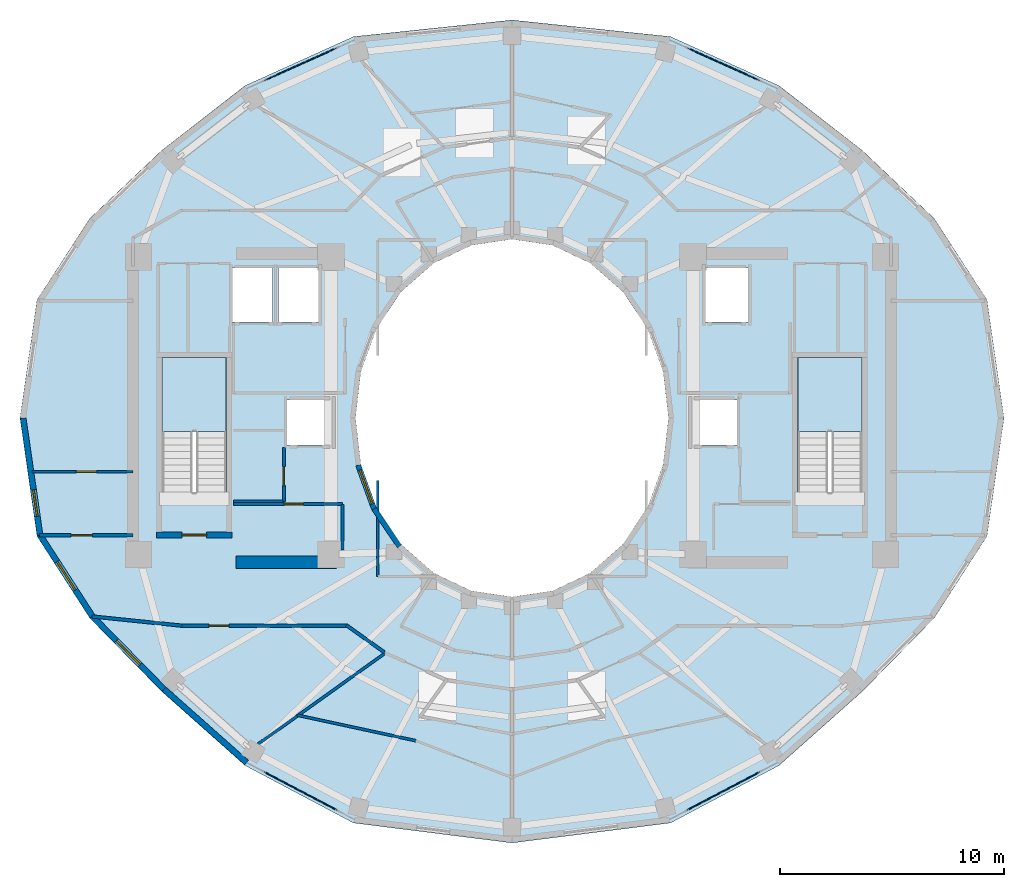
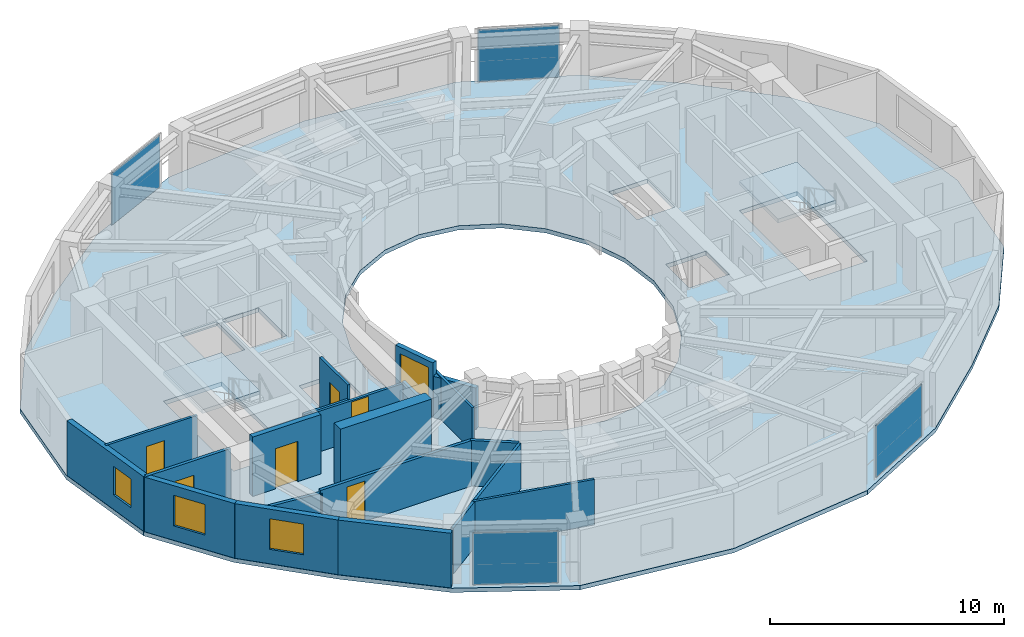
# One storey, part 9 of 16: 20 walls, 6 doors, 4 plates, 4 windows, 3 slabs, 10 openings, 6 elements without a shape of their own.
"""IFC4 building model written with IfcOpenShell, lengths in metres."""

from ifc_helpers import new_model, si_unit, direction, frame, frame_2d, origin, origin_2d, place, context, subcontext, project, spatial, polyline, rectangle, outline, extrude, material, layer, layer_set, type_object, element, fill, aggregate, save


model = new_model("IFC4")

# Units and contexts
model_context = context("Model", 3, precision=1e-05, world=origin(), true_north=direction((0.0, 1.0)))
body_context = subcontext(model_context, "Body", "Model", "MODEL_VIEW")
ifc_project = project(units=[si_unit("LENGTHUNIT", "METRE"), si_unit("AREAUNIT", "SQUARE_METRE"), si_unit("VOLUMEUNIT", "CUBIC_METRE"), si_unit("PLANEANGLEUNIT", "RADIAN"), si_unit("MASSUNIT", "GRAM", prefix="KILO")], contexts=[model_context])

# Site, building, storey
site_placement = place(None, origin())
site = spatial("IfcSite", under=ifc_project, at=site_placement, CompositionType="ELEMENT")
building_placement = place(site_placement, origin())
building = spatial("IfcBuilding", under=site, at=building_placement, Name="Solvane Sanctuary Tower", CompositionType="ELEMENT")
storey_placement = place(building_placement, frame((0.0, 0.0, 226.39990234375)))
storey = spatial("IfcBuildingStorey", under=building, at=storey_placement, Name="L69", CompositionType="ELEMENT", Elevation=226.39990234375)

# Curtain wall, plate
ifc_material_1 = material(Name="Anodised Aluminium 6063-T6", Category="aluminium")
ifc_layer_1 = layer(ifc_material_1, 0.18994140625, Name="Anodised Aluminium 6063-T6")
ifc_layer_set_1 = layer_set([ifc_layer_1], Name="Anodised Aluminium 6063-T6")
curtain_wall_type = type_object("IfcCurtainWallType", Name="Curtain Wall CW-OPER", PredefinedType="NOTDEFINED", material=ifc_layer_set_1)
curtain_wall_1_placement = place(storey_placement, origin())
curtain_wall_1 = element("IfcCurtainWall", 1, at=curtain_wall_1_placement, inside=storey, type_object=curtain_wall_type, Name="L69 CW-OPER Facade Run 04", PredefinedType="NOTDEFINED")
ifc_material_2 = material(Name="Dark Ceramic-Fritted Low-E Glass", Category="glass")
ifc_layer_2 = layer(ifc_material_2, 0.0419921875, Name="Dark Ceramic-Fritted Low-E Glass")
ifc_layer_set_2 = layer_set([ifc_layer_2], Name="Dark Ceramic-Fritted Low-E Glass")
plate_type = type_object("IfcPlateType", Name="Plate PN-OPER-VENT", PredefinedType="CURTAIN_PANEL", material=ifc_layer_set_2)
plate_1_placement = place(storey_placement, frame((41.45654296875, 38.822265625, 0.065185546875), z_axis=(0.0, 0.0, 1.0), x_axis=(-0.911422883385, 0.411470931711, 0.0)))
plate_1 = element("IfcPlate", 2, at=plate_1_placement, type_object=plate_type, Name="CW-OPER panel 1.1", PredefinedType="CURTAIN_PANEL", context=body_context, shape_type="SweptSolid", body=[
    extrude(rectangle(XDim=3.506103515625, YDim=0.0419921875, at=origin_2d()), origin(), (0.0, 0.0, 1.0), 2.7099609375),
])
aggregate(curtain_wall_1, [plate_1])

curtain_wall_2_placement = place(storey_placement, origin())
curtain_wall_2 = element("IfcCurtainWall", 3, at=curtain_wall_2_placement, inside=storey, type_object=curtain_wall_type, Name="L69 CW-OPER Facade Run 07", PredefinedType="NOTDEFINED")
plate_2_placement = place(storey_placement, frame((22.54345703125, 38.822265625, 0.065185546875), z_axis=(0.0, 0.0, 1.0), x_axis=(-0.911422883385, -0.411470931711, 0.0)))
plate_2 = element("IfcPlate", 4, at=plate_2_placement, type_object=plate_type, Name="CW-OPER panel 1.1", PredefinedType="CURTAIN_PANEL", context=body_context, shape_type="SweptSolid", body=[
    extrude(rectangle(XDim=3.506103515625, YDim=0.0419921875, at=origin_2d()), origin(), (0.0, 0.0, 1.0), 2.7099609375),
])
aggregate(curtain_wall_2, [plate_2])

curtain_wall_3_placement = place(storey_placement, origin())
curtain_wall_3 = element("IfcCurtainWall", 5, at=curtain_wall_3_placement, inside=storey, type_object=curtain_wall_type, Name="L69 CW-OPER Facade Run 16", PredefinedType="NOTDEFINED")
plate_3_placement = place(storey_placement, frame((22.54345703125, 6.324462890625, 0.065185546875), z_axis=(0.0, 0.0, 1.0), x_axis=(0.883980752049, -0.467523293544, 0.0)))
plate_3 = element("IfcPlate", 6, at=plate_3_placement, type_object=plate_type, Name="CW-OPER panel 1.1", PredefinedType="CURTAIN_PANEL", context=body_context, shape_type="SweptSolid", body=[
    extrude(rectangle(XDim=3.670654296875, YDim=0.0419921875, at=origin_2d()), origin(), (0.0, 0.0, 1.0), 2.7099609375),
])
aggregate(curtain_wall_3, [plate_3])

curtain_wall_4_placement = place(storey_placement, origin())
curtain_wall_4 = element("IfcCurtainWall", 7, at=curtain_wall_4_placement, inside=storey, type_object=curtain_wall_type, Name="L69 CW-OPER Facade Run 19", PredefinedType="NOTDEFINED")
plate_4_placement = place(storey_placement, frame((41.45654296875, 6.324462890625, 0.065185546875), z_axis=(0.0, 0.0, 1.0), x_axis=(0.883980752049, 0.467523293544, 0.0)))
plate_4 = element("IfcPlate", 8, at=plate_4_placement, type_object=plate_type, Name="CW-OPER panel 1.1", PredefinedType="CURTAIN_PANEL", context=body_context, shape_type="SweptSolid", body=[
    extrude(rectangle(XDim=3.670654296875, YDim=0.0419921875, at=origin_2d()), origin(), (0.0, 0.0, 1.0), 2.7099609375),
])
aggregate(curtain_wall_4, [plate_4])

# Stair, slab
ifc_material_3 = material(Name="Concrete C45/55", Category="concrete")
stair_type = type_object("IfcStairType", Name="Stair ST-TOW", PredefinedType="HALF_TURN_STAIR", material=ifc_material_3)
stair_1_placement = place(storey_placement, origin())
stair_1 = element("IfcStair", 9, at=stair_1_placement, inside=storey, type_object=stair_type, Name="L69 Exit Stair ST-1 West Core", PredefinedType="HALF_TURN_STAIR")
ifc_layer_3 = layer(ifc_material_3, 0.199951171875, Name="Concrete C45/55")
ifc_layer_set_3 = layer_set([ifc_layer_3], Name="Concrete C45/55")
slab_type_1 = type_object("IfcSlabType", Name="Slab SL-LAND-180", PredefinedType="LANDING", material=ifc_layer_set_3)
slab_1_placement = place(storey_placement, frame((0.0, 0.0, 1.35009765625)))
slab_1 = element("IfcSlab", 10, at=slab_1_placement, type_object=slab_type_1, Name="ST-1 landing 1", PredefinedType="LANDING", context=body_context, shape_type="SweptSolid", body=[
    extrude(outline(polyline([(19.219970703125, 22.39990234375), (19.219970703125, 25.699951171875), (16.360107421875, 25.699951171875), (16.360107421875, 22.39990234375), (19.219970703125, 22.39990234375)])), origin(), (0.0, 0.0, 1.0), 0.199951171875),
])
aggregate(stair_1, [slab_1])

stair_2_placement = place(storey_placement, origin())
stair_2 = element("IfcStair", 11, at=stair_2_placement, inside=storey, type_object=stair_type, Name="L69 Exit Stair ST-2 East Core", PredefinedType="HALF_TURN_STAIR")
slab_2_placement = place(storey_placement, frame((0.0, 0.0, 1.35009765625)))
slab_2 = element("IfcSlab", 12, at=slab_2_placement, type_object=slab_type_1, Name="ST-2 landing 1", PredefinedType="LANDING", context=body_context, shape_type="SweptSolid", body=[
    extrude(outline(polyline([(47.639892578125, 22.39990234375), (47.639892578125, 25.699951171875), (44.780029296875, 25.699951171875), (44.780029296875, 22.39990234375), (47.639892578125, 22.39990234375)])), origin(), (0.0, 0.0, 1.0), 0.199951171875),
])
aggregate(stair_2, [slab_2])

# Slab
ifc_layer_4 = layer(ifc_material_3, 0.219970703125, Name="Concrete C45/55")
ifc_layer_set_4 = layer_set([ifc_layer_4], Name="Concrete C45/55")
slab_type_2 = type_object("IfcSlabType", Name="Slab SL-TOW-220", PredefinedType="FLOOR", material=ifc_layer_set_4)
slab_3_placement = place(storey_placement, frame((0.0, 0.0, -0.219970703125)))
element("IfcSlab", 13, at=slab_3_placement, inside=storey, type_object=slab_type_2, Name="L69 Primary Structural Slab", PredefinedType="FLOOR", context=body_context, shape_type="SweptSolid", body=[
    extrude(outline(polyline([(54.0, 23.0), (53.239990234375, 28.283935546875), (50.881103515625, 31.925537109375), (47.6572265625, 34.97412109375), (43.946044921875, 37.859375), (39.088134765625, 40.057373046875), (32.0, 40.800048828125), (24.911865234375, 40.057373046875), (20.053955078125, 37.859375), (16.3427734375, 34.97412109375), (13.118896484375, 31.925537109375), (10.760009765625, 28.283935546875), (10.0, 23.0), (10.760009765625, 17.716064453125), (13.118896484375, 14.056884765625), (16.3427734375, 10.7666015625), (20.053955078125, 7.46826171875), (24.911865234375, 4.8935546875), (32.0, 4.0), (39.088134765625, 4.8935546875), (43.946044921875, 7.46826171875), (47.6572265625, 10.7666015625), (50.881103515625, 14.056884765625), (53.239990234375, 17.716064453125), (54.0, 23.0)]), holes=[polyline([(38.761474609375, 20.929443359375), (38.062255859375, 19.0), (36.94970703125, 17.343017578125), (35.5, 16.07177734375), (33.811767578125, 15.272705078125), (32.0, 15.0), (30.188232421875, 15.272705078125), (28.5, 16.07177734375), (27.05029296875, 17.343017578125), (25.937744140625, 19.0), (25.238525390625, 20.929443359375), (25.0, 23.0), (25.238525390625, 25.070556640625), (25.937744140625, 27.0), (27.05029296875, 28.656982421875), (28.5, 29.92822265625), (30.188232421875, 30.727294921875), (32.0, 31.0), (33.811767578125, 30.727294921875), (35.5, 29.92822265625), (36.94970703125, 28.656982421875), (38.062255859375, 27.0), (38.761474609375, 25.070556640625), (39.0, 23.0), (38.761474609375, 20.929443359375)]), polyline([(16.360107421875, 19.699951171875), (16.360107421875, 25.699951171875), (19.219970703125, 25.699951171875), (19.219970703125, 19.699951171875), (16.360107421875, 19.699951171875)]), polyline([(44.780029296875, 19.699951171875), (44.780029296875, 25.699951171875), (47.639892578125, 25.699951171875), (47.639892578125, 19.699951171875), (44.780029296875, 19.699951171875)]), polyline([(21.949951171875, 23.800048828125), (23.949951171875, 23.800048828125), (23.949951171875, 21.800048828125), (21.949951171875, 21.800048828125), (21.949951171875, 23.800048828125)]), polyline([(40.050048828125, 23.800048828125), (42.050048828125, 23.800048828125), (42.050048828125, 21.800048828125), (40.050048828125, 21.800048828125), (40.050048828125, 23.800048828125)]), polyline([(19.5, 29.699951171875), (21.300048828125, 29.699951171875), (21.300048828125, 27.300048828125), (19.5, 27.300048828125), (19.5, 29.699951171875)]), polyline([(21.550048828125, 29.699951171875), (23.35009765625, 29.699951171875), (23.35009765625, 27.300048828125), (21.550048828125, 27.300048828125), (21.550048828125, 29.699951171875)]), polyline([(40.64990234375, 29.699951171875), (42.550048828125, 29.699951171875), (42.550048828125, 27.300048828125), (40.64990234375, 27.300048828125), (40.64990234375, 29.699951171875)])]), origin(), (0.0, 0.0, 1.0), 0.219970703125),
])

# Wall
ifc_material_4 = material(Name="Concrete C50/60", Category="concrete")
ifc_layer_5 = layer(ifc_material_4, 0.550048828125, Name="Concrete C50/60")
ifc_layer_set_5 = layer_set([ifc_layer_5], Name="Concrete C50/60")
wall_type_1 = type_object("IfcWallType", Name="Wall W-CORE-550", PredefinedType="SHEAR", material=ifc_layer_set_5)
wall_1_placement = place(storey_placement, frame((19.64990234375, 16.550048828125, 0.0), z_axis=(0.0, 0.0, 1.0), x_axis=(1.0, 0.0, 0.0)))
element("IfcWall", 14, at=wall_1_placement, inside=storey, type_object=wall_type_1, Name="L69 Core Shear Wall WC-S", PredefinedType="SHEAR", context=body_context, shape_type="SweptSolid", body=[
    extrude(rectangle(XDim=4.5, YDim=0.550048828125, at=frame_2d((2.25, 0.0))), origin(), (0.0, 0.0, 1.0), 3.10009765625),
])

# Wall, opening, door
ifc_material_5 = material(Name="Acoustic Gypsum Partition Board")
ifc_layer_6 = layer(ifc_material_5, 0.14990234375, Name="Acoustic Gypsum Partition Board")
ifc_layer_set_6 = layer_set([ifc_layer_6], Name="Acoustic Gypsum Partition Board")
wall_type_2 = type_object("IfcWallType", Name="Wall W-CORR-150", PredefinedType="PARTITIONING", material=ifc_layer_set_6)
wall_2_placement = place(storey_placement, frame((10.87548828125, 17.754638671875, 0.0), z_axis=(0.0, 0.0, 1.0), x_axis=(1.0, 0.0, 0.0)))
wall_2 = element("IfcWall", 15, at=wall_2_placement, inside=storey, type_object=wall_type_2, Name="L69 West Shoulder South Wall", PredefinedType="PARTITIONING", context=body_context, shape_type="SweptSolid", body=[
    extrude(rectangle(XDim=4.174560546875, YDim=0.14990234375, at=frame_2d((2.08740234375, 0.0))), origin(), (0.0, 0.0, 1.0), 2.85498046875),
])
opening_1_placement = place(wall_2_placement, frame((1.407470703125, 0.0, 0.0)))
opening_1 = element("IfcOpeningElement", 16, at=opening_1_placement, cuts=wall_2, Name="Opening D-L69-19", PredefinedType="OPENING", context=body_context, shape_type="SweptSolid", body=[
    extrude(rectangle(XDim=0.949951171875, YDim=2.10009765625, at=frame_2d((0.47509765625, 1.050048828125))), frame((0.0, 0.0849609375, 0.0), z_axis=(0.0, -1.0, 0.0), x_axis=(1.0, 0.0, 0.0)), (0.0, 0.0, 1.0), 0.169921875),
])
ifc_material_6 = material(Name="Engineered Tropical Hardwood", Category="wood")
door_type_1 = type_object("IfcDoorType", Name="Door D-ROOM-950", OperationType="NOTDEFINED", PredefinedType="DOOR", material=ifc_material_6)
door_1_placement = place(opening_1_placement, origin())
door_1 = element("IfcDoor", 17, at=door_1_placement, inside=storey, type_object=door_type_1, Name="L69 West Shoulder South Door", OperationType="SINGLE_SWING_RIGHT", OverallHeight=2.10009765625, OverallWidth=0.949951171875, PredefinedType="DOOR", context=body_context, shape_type="SweptSolid", body=[
    extrude(rectangle(XDim=0.949951171875, YDim=2.10009765625, at=frame_2d((0.47509765625, 1.050048828125))), frame((0.0, 0.02490234375, 0.0), z_axis=(0.0, -1.0, 0.0), x_axis=(1.0, 0.0, 0.0)), (0.0, 0.0, 1.0), 0.050048828125),
])
fill(opening_1, door_1)

# Wall
wall_3_placement = place(storey_placement, frame((26.290283203125, 12.527099609375, 0.0), z_axis=(0.0, 0.0, 1.0), x_axis=(-0.813780999276, 0.581171648669, 0.0)))
element("IfcWall", 18, at=wall_3_placement, inside=storey, type_object=wall_type_2, Name="L69 SW Corner Throat Wall", PredefinedType="PARTITIONING", context=body_context, shape_type="SweptSolid", body=[
    extrude(rectangle(XDim=2.082275390625, YDim=0.14990234375, at=frame_2d((1.041015625, 0.0))), origin(), (0.0, 0.0, 1.0), 2.3759765625),
])

# Wall, opening, door
wall_4_placement = place(storey_placement, frame((17.14990234375, 13.719970703125, 0.0), z_axis=(0.0, 0.0, 1.0), x_axis=(1.0, 0.0, 0.0)))
wall_4 = element("IfcWall", 19, at=wall_4_placement, inside=storey, type_object=wall_type_2, Name="L69 SW Corner Corridor Wall", PredefinedType="PARTITIONING", context=body_context, shape_type="SweptSolid", body=[
    extrude(rectangle(XDim=7.52001953125, YDim=0.14990234375, at=frame_2d((3.760009765625, 0.0))), origin(), (0.0, 0.0, 1.0), 2.3759765625),
])
opening_2_placement = place(wall_4_placement, frame((1.300048828125, 0.0, 0.0)))
opening_2 = element("IfcOpeningElement", 20, at=opening_2_placement, cuts=wall_4, Name="Opening D-L69-24", PredefinedType="OPENING", context=body_context, shape_type="SweptSolid", body=[
    extrude(rectangle(XDim=0.89990234375, YDim=2.10009765625, at=frame_2d((0.449951171875, 1.050048828125))), frame((0.0, 0.0849609375, 0.0), z_axis=(0.0, -1.0, 0.0), x_axis=(1.0, 0.0, 0.0)), (0.0, 0.0, 1.0), 0.169921875),
])
door_type_2 = type_object("IfcDoorType", Name="Door D-WET-900", OperationType="NOTDEFINED", PredefinedType="DOOR", material=ifc_material_6)
door_2_placement = place(opening_2_placement, origin())
door_2 = element("IfcDoor", 21, at=door_2_placement, inside=storey, type_object=door_type_2, Name="L69 SW Corner Salon Door", OperationType="SINGLE_SWING_LEFT", OverallHeight=2.10009765625, OverallWidth=0.89990234375, PredefinedType="DOOR", context=body_context, shape_type="SweptSolid", body=[
    extrude(rectangle(XDim=0.89990234375, YDim=2.10009765625, at=frame_2d((0.449951171875, 1.050048828125))), frame((0.0, 0.02490234375, 0.0), z_axis=(0.0, -1.0, 0.0), x_axis=(1.0, 0.0, 0.0)), (0.0, 0.0, 1.0), 0.050048828125),
])
fill(opening_2, door_2)

# Wall
wall_5_placement = place(storey_placement, frame((17.249755859375, 13.71484375, 0.0), z_axis=(0.0, 0.0, 1.0), x_axis=(-0.994734711466, 0.102483431859, 0.0)))
element("IfcWall", 22, at=wall_5_placement, inside=storey, type_object=wall_type_2, Name="L69 SW Corner Wing Wall", PredefinedType="PARTITIONING", context=body_context, shape_type="SweptSolid", body=[
    extrude(rectangle(XDim=4.04736328125, YDim=0.14990234375, at=frame_2d((2.023681640625, 0.0))), origin(), (0.0, 0.0, 1.0), 2.22021484375),
])

# Wall, opening, window
ifc_material_7 = material(Name="Precast concrete C40/50", Category="concrete")
ifc_layer_7 = layer(ifc_material_7, 0.260009765625, Name="Precast concrete C40/50")
ifc_layer_set_7 = layer_set([ifc_layer_7], Name="Precast concrete C40/50")
wall_type_3 = type_object("IfcWallType", Name="Wall W-EXT-250", PredefinedType="STANDARD", material=ifc_layer_set_7)
wall_6_placement = place(storey_placement, frame((10.139892578125, 23.0, 0.0), z_axis=(0.0, 0.0, 1.0), x_axis=(0.142712754019, -0.989764148593, 0.0)))
wall_6 = element("IfcWall", 23, at=wall_6_placement, inside=storey, type_object=wall_type_3, Name="L69 Ceramic-Printed Facade Wall 12", PredefinedType="STANDARD", context=body_context, shape_type="SweptSolid", body=[
    extrude(rectangle(XDim=5.29296875, YDim=0.260009765625, at=frame_2d((2.646484375, 0.0))), origin(), (0.0, 0.0, 1.0), 2.85009765625),
])
opening_3_placement = place(wall_6_placement, frame((3.23388671875, 0.0, 0.75)))
opening_3 = element("IfcOpeningElement", 24, at=opening_3_placement, cuts=wall_6, Name="Opening WN-OPER-1200", PredefinedType="OPENING", context=body_context, shape_type="SweptSolid", body=[
    extrude(rectangle(XDim=1.199951171875, YDim=1.5, at=frame_2d((0.60009765625, 0.75))), frame((0.0, 0.139892578125, 0.0), z_axis=(0.0, -1.0, 0.0), x_axis=(1.0, 0.0, 0.0)), (0.0, 0.0, 1.0), 0.280029296875),
])
window_type_1 = type_object("IfcWindowType", Name="Window WN-OPER-1200", PartitioningType="SINGLE_PANEL", PredefinedType="WINDOW", material=ifc_material_2)
window_1_placement = place(opening_3_placement, origin())
window_1 = element("IfcWindow", 25, at=window_1_placement, inside=storey, type_object=window_type_1, Name="L69 Operable Facade Window 12", OverallHeight=1.5, OverallWidth=1.199951171875, PartitioningType="SINGLE_PANEL", PredefinedType="WINDOW", context=body_context, shape_type="SweptSolid", body=[
    extrude(rectangle(XDim=1.199951171875, YDim=1.5, at=frame_2d((0.60009765625, 0.75))), frame((0.0, 0.030029296875, 0.0), z_axis=(0.0, -1.0, 0.0), x_axis=(1.0, 0.0, 0.0)), (0.0, 0.0, 1.0), 0.06005859375),
])
fill(opening_3, window_1)

wall_7_placement = place(storey_placement, frame((10.895263671875, 17.76123046875, 0.0), z_axis=(0.0, 0.0, 1.0), x_axis=(0.542641766008, -0.839964233634, 0.0)))
wall_7 = element("IfcWall", 26, at=wall_7_placement, inside=storey, type_object=wall_type_3, Name="L69 Ceramic-Printed Facade Wall 13", PredefinedType="STANDARD", context=body_context, shape_type="SweptSolid", body=[
    extrude(rectangle(XDim=4.319091796875, YDim=0.260009765625, at=frame_2d((2.15966796875, 0.0))), origin(), (0.0, 0.0, 1.0), 2.85009765625),
])
opening_4_placement = place(wall_7_placement, frame((1.40966796875, 0.0, 0.75)))
opening_4 = element("IfcOpeningElement", 27, at=opening_4_placement, cuts=wall_7, Name="Opening WN-OPER-1500", PredefinedType="OPENING", context=body_context, shape_type="SweptSolid", body=[
    extrude(rectangle(XDim=1.5, YDim=1.60009765625, at=frame_2d((0.75, 0.800048828125))), frame((0.0, 0.139892578125, 0.0), z_axis=(0.0, -1.0, 0.0), x_axis=(1.0, 0.0, 0.0)), (0.0, 0.0, 1.0), 0.280029296875),
])
window_type_2 = type_object("IfcWindowType", Name="Window WN-OPER-1500", PartitioningType="SINGLE_PANEL", PredefinedType="WINDOW", material=ifc_material_2)
window_2_placement = place(opening_4_placement, origin())
window_2 = element("IfcWindow", 28, at=window_2_placement, inside=storey, type_object=window_type_2, Name="L69 Operable Facade Window 13", OverallHeight=1.60009765625, OverallWidth=1.5, PartitioningType="SINGLE_PANEL", PredefinedType="WINDOW", context=body_context, shape_type="SweptSolid", body=[
    extrude(rectangle(XDim=1.5, YDim=1.60009765625, at=frame_2d((0.75, 0.800048828125))), frame((0.0, 0.030029296875, 0.0), z_axis=(0.0, -1.0, 0.0), x_axis=(1.0, 0.0, 0.0)), (0.0, 0.0, 1.0), 0.06005859375),
])
fill(opening_4, window_2)

wall_8_placement = place(storey_placement, frame((13.239013671875, 14.13330078125, 0.0), z_axis=(0.0, 0.0, 1.0), x_axis=(0.700642973333, -0.713512034881, 0.0)))
wall_8 = element("IfcWall", 29, at=wall_8_placement, inside=storey, type_object=wall_type_3, Name="L69 Ceramic-Printed Facade Wall 14", PredefinedType="STANDARD", context=body_context, shape_type="SweptSolid", body=[
    extrude(rectangle(XDim=4.572021484375, YDim=0.260009765625, at=frame_2d((2.2861328125, 0.0))), origin(), (0.0, 0.0, 1.0), 2.85009765625),
])
opening_5_placement = place(wall_8_placement, frame((1.535888671875, 0.0, 0.75)))
opening_5 = element("IfcOpeningElement", 30, at=opening_5_placement, cuts=wall_8, Name="Opening WN-OPER-1500", PredefinedType="OPENING", context=body_context, shape_type="SweptSolid", body=[
    extrude(rectangle(XDim=1.5, YDim=1.60009765625, at=frame_2d((0.75, 0.800048828125))), frame((0.0, 0.139892578125, 0.0), z_axis=(0.0, -1.0, 0.0), x_axis=(1.0, 0.0, 0.0)), (0.0, 0.0, 1.0), 0.280029296875),
])
window_3_placement = place(opening_5_placement, origin())
window_3 = element("IfcWindow", 31, at=window_3_placement, inside=storey, type_object=window_type_2, Name="L69 Operable Facade Window 14", OverallHeight=1.60009765625, OverallWidth=1.5, PartitioningType="SINGLE_PANEL", PredefinedType="WINDOW", context=body_context, shape_type="SweptSolid", body=[
    extrude(rectangle(XDim=1.5, YDim=1.60009765625, at=frame_2d((0.75, 0.800048828125))), frame((0.0, 0.030029296875, 0.0), z_axis=(0.0, -1.0, 0.0), x_axis=(1.0, 0.0, 0.0)), (0.0, 0.0, 1.0), 0.06005859375),
])
fill(opening_5, window_3)

# Wall
wall_9_placement = place(storey_placement, frame((16.4423828125, 10.87109375, 0.0), z_axis=(0.0, 0.0, 1.0), x_axis=(0.748165854006, -0.663511759428, 0.0)))
element("IfcWall", 32, at=wall_9_placement, inside=storey, type_object=wall_type_3, Name="L69 Ceramic-Printed Facade Wall 15", PredefinedType="STANDARD", context=body_context, shape_type="SweptSolid", body=[
    extrude(rectangle(XDim=4.9287109375, YDim=0.260009765625, at=frame_2d((2.46435546875, 0.0))), origin(), (0.0, 0.0, 1.0), 2.85009765625),
])

# Wall, opening, window
ifc_layer_8 = layer(ifc_material_7, 0.22998046875, Name="Precast concrete C40/50")
ifc_layer_set_8 = layer_set([ifc_layer_8], Name="Precast concrete C40/50")
wall_type_4 = type_object("IfcWallType", Name="Wall W-EXT-SP220", PredefinedType="STANDARD", material=ifc_layer_set_8)
wall_10_placement = place(storey_placement, frame((25.12255859375, 20.8984375, 0.0), z_axis=(0.0, 0.0, 1.0), x_axis=(0.341423187295, -0.93990968033, 0.0)))
wall_10 = element("IfcWall", 33, at=wall_10_placement, inside=storey, type_object=wall_type_4, Name="L69 Central Light-Well Wall 13", PredefinedType="STANDARD", context=body_context, shape_type="SweptSolid", body=[
    extrude(rectangle(XDim=2.083740234375, YDim=0.22998046875, at=frame_2d((1.0419921875, 0.0))), origin(), (0.0, 0.0, 1.0), 2.840087890625),
])
opening_6_placement = place(wall_10_placement, frame((0.24169921875, 0.0, 0.85009765625)))
opening_6 = element("IfcOpeningElement", 34, at=opening_6_placement, cuts=wall_10, Name="Opening WN-WELL-1600", PredefinedType="OPENING", context=body_context, shape_type="SweptSolid", body=[
    extrude(rectangle(XDim=1.60009765625, YDim=1.64990234375, at=frame_2d((0.800048828125, 0.824951171875))), frame((0.0, 0.125, 0.0), z_axis=(0.0, -1.0, 0.0), x_axis=(1.0, 0.0, 0.0)), (0.0, 0.0, 1.0), 0.25),
])
ifc_material_8 = material(Name="Clear Laminated Light-Well Glass", Category="glass")
window_type_3 = type_object("IfcWindowType", Name="Window WN-WELL-1600", PartitioningType="SINGLE_PANEL", PredefinedType="WINDOW", material=ifc_material_8)
window_4_placement = place(opening_6_placement, origin())
window_4 = element("IfcWindow", 35, at=window_4_placement, inside=storey, type_object=window_type_3, Name="L69 Light-Well Daylight Window 13", OverallHeight=1.64990234375, OverallWidth=1.60009765625, PartitioningType="SINGLE_PANEL", PredefinedType="WINDOW", context=body_context, shape_type="SweptSolid", body=[
    extrude(rectangle(XDim=1.60009765625, YDim=1.64990234375, at=frame_2d((0.800048828125, 0.824951171875))), frame((0.0, 0.030029296875, 0.0), z_axis=(0.0, -1.0, 0.0), x_axis=(1.0, 0.0, 0.0)), (0.0, 0.0, 1.0), 0.06005859375),
])
fill(opening_6, window_4)

# Wall
wall_11_placement = place(storey_placement, frame((25.833984375, 18.93994140625, 0.0), z_axis=(0.0, 0.0, 1.0), x_axis=(0.558197800898, -0.829707909492, 0.0)))
element("IfcWall", 36, at=wall_11_placement, inside=storey, type_object=wall_type_4, Name="L69 Central Light-Well Wall 14", PredefinedType="STANDARD", context=body_context, shape_type="SweptSolid", body=[
    extrude(rectangle(XDim=2.02685546875, YDim=0.22998046875, at=frame_2d((1.013427734375, 0.0))), origin(), (0.0, 0.0, 1.0), 2.16015625),
])

# Wall, opening, door
ifc_layer_9 = layer(ifc_material_5, 0.1201171875, Name="Acoustic Gypsum Partition Board")
ifc_layer_set_9 = layer_set([ifc_layer_9], Name="Acoustic Gypsum Partition Board")
wall_type_5 = type_object("IfcWallType", Name="Wall W-MOV-100", PredefinedType="MOVABLE", material=ifc_layer_set_9)
wall_12_placement = place(storey_placement, frame((10.525634765625, 20.60009765625, 0.0), z_axis=(0.0, 0.0, 1.0), x_axis=(1.0, 0.0, 0.0)))
wall_12 = element("IfcWall", 37, at=wall_12_placement, inside=storey, type_object=wall_type_5, Name="L69 West Suite Partition", PredefinedType="MOVABLE", context=body_context, shape_type="SweptSolid", body=[
    extrude(rectangle(XDim=4.5244140625, YDim=0.1201171875, at=frame_2d((2.26220703125, 0.0))), origin(), (0.0, 0.0, 1.0), 2.85498046875),
])
opening_7_placement = place(wall_12_placement, frame((2.0, 0.0, 0.0)))
opening_7 = element("IfcOpeningElement", 38, at=opening_7_placement, cuts=wall_12, Name="Opening D-L69-20", PredefinedType="OPENING", context=body_context, shape_type="SweptSolid", body=[
    extrude(rectangle(XDim=0.89990234375, YDim=2.10009765625, at=frame_2d((0.449951171875, 1.050048828125))), frame((0.0, 0.070068359375, 0.0), z_axis=(0.0, -1.0, 0.0), x_axis=(1.0, 0.0, 0.0)), (0.0, 0.0, 1.0), 0.14013671875),
])
door_3_placement = place(opening_7_placement, origin())
door_3 = element("IfcDoor", 39, at=door_3_placement, inside=storey, type_object=door_type_2, Name="L69 West Suite Internal Door", OperationType="SINGLE_SWING_LEFT", OverallHeight=2.10009765625, OverallWidth=0.89990234375, PredefinedType="DOOR", context=body_context, shape_type="SweptSolid", body=[
    extrude(rectangle(XDim=0.89990234375, YDim=2.10009765625, at=frame_2d((0.449951171875, 1.050048828125))), frame((0.0, 0.02490234375, 0.0), z_axis=(0.0, -1.0, 0.0), x_axis=(1.0, 0.0, 0.0)), (0.0, 0.0, 1.0), 0.050048828125),
])
fill(opening_7, door_3)

# Wall
wall_13_placement = place(storey_placement, frame((22.389892578125, 9.716796875, 0.0), z_axis=(0.0, 0.0, 1.0), x_axis=(0.977534972695, -0.210773283785, 0.0)))
element("IfcWall", 40, at=wall_13_placement, inside=storey, type_object=wall_type_5, Name="L69 Suite Sitting Lounge Partition S1", PredefinedType="MOVABLE", context=body_context, shape_type="SweptSolid", body=[
    extrude(rectangle(XDim=5.453369140625, YDim=0.1201171875, at=frame_2d((2.7265625, 0.0))), origin(), (0.0, 0.0, 1.0), 2.3759765625),
])

# Wall, opening, door
ifc_layer_10 = layer(ifc_material_5, 0.125, Name="Acoustic Gypsum Partition Board")
ifc_layer_set_10 = layer_set([ifc_layer_10], Name="Acoustic Gypsum Partition Board")
wall_type_6 = type_object("IfcWallType", Name="Wall W-PART-125", PredefinedType="PARTITIONING", material=ifc_layer_set_10)
wall_14_placement = place(storey_placement, frame((19.550048828125, 19.159912109375, 0.0), z_axis=(0.0, 0.0, 1.0), x_axis=(1.0, 0.0, 0.0)))
wall_14 = element("IfcWall", 41, at=wall_14_placement, inside=storey, type_object=wall_type_6, Name="L69 Reclaimed Room Partition PLW", PredefinedType="PARTITIONING", context=body_context, shape_type="SweptSolid", body=[
    extrude(rectangle(XDim=4.869873046875, YDim=0.125, at=frame_2d((2.43505859375, 0.0))), origin(), (0.0, 0.0, 1.0), 2.1201171875),
])
opening_8_placement = place(wall_14_placement, frame((2.271728515625, 0.0, 0.0)))
opening_8 = element("IfcOpeningElement", 42, at=opening_8_placement, cuts=wall_14, Name="Opening D-L69-05", PredefinedType="OPENING", context=body_context, shape_type="SweptSolid", body=[
    extrude(rectangle(XDim=0.85009765625, YDim=2.050048828125, at=frame_2d((0.425048828125, 1.02490234375))), frame((0.0, 0.072509765625, 0.0), z_axis=(0.0, -1.0, 0.0), x_axis=(1.0, 0.0, 0.0)), (0.0, 0.0, 1.0), 0.14501953125),
])
ifc_material_9 = material(Name="Architectural Stainless Steel 316", Category="steel")
door_type_3 = type_object("IfcDoorType", Name="Door D-RISER", OperationType="NOTDEFINED", PredefinedType="DOOR", material=ifc_material_9)
door_4_placement = place(opening_8_placement, origin())
door_4 = element("IfcDoor", 43, at=door_4_placement, inside=storey, type_object=door_type_3, Name="L69 Reclaimed Room Door PLW-1", OperationType="SINGLE_SWING_RIGHT", OverallHeight=2.050048828125, OverallWidth=0.85009765625, PredefinedType="DOOR", context=body_context, shape_type="SweptSolid", body=[
    extrude(rectangle(XDim=0.85009765625, YDim=2.050048828125, at=frame_2d((0.425048828125, 1.02490234375))), frame((0.0, 0.02490234375, 0.0), z_axis=(0.0, -1.0, 0.0), x_axis=(1.0, 0.0, 0.0)), (0.0, 0.0, 1.0), 0.050048828125),
])
fill(opening_8, door_4)

# Wall
wall_15_placement = place(storey_placement, frame((24.419921875, 17.10009765625, 0.0), z_axis=(0.0, 0.0, 1.0), x_axis=(0.0, 1.0, 0.0)))
element("IfcWall", 44, at=wall_15_placement, inside=storey, type_object=wall_type_6, Name="L69 Reclaimed Room Closer Wall PLW-1", PredefinedType="PARTITIONING", context=body_context, shape_type="SweptSolid", body=[
    extrude(rectangle(XDim=2.039794921875, YDim=0.125, at=frame_2d((1.02001953125, 0.0))), origin(), (0.0, 0.0, 1.0), 2.232177734375),
])

# Wall, opening, door
wall_16_placement = place(storey_placement, frame((21.800048828125, 19.280029296875, 0.0), z_axis=(0.0, 0.0, 1.0), x_axis=(0.0, 1.0, 0.0)))
wall_16 = element("IfcWall", 45, at=wall_16_placement, inside=storey, type_object=wall_type_6, Name="L69 Reclaimed Room Partition PMW", PredefinedType="PARTITIONING", context=body_context, shape_type="SweptSolid", body=[
    extrude(rectangle(XDim=2.39990234375, YDim=0.125, at=frame_2d((1.199951171875, 0.0))), origin(), (0.0, 0.0, 1.0), 2.85498046875),
])
opening_9_placement = place(wall_16_placement, frame((0.699951171875, 0.0, 0.0)))
opening_9 = element("IfcOpeningElement", 46, at=opening_9_placement, cuts=wall_16, Name="Opening D-L69-07", PredefinedType="OPENING", context=body_context, shape_type="SweptSolid", body=[
    extrude(rectangle(XDim=0.85009765625, YDim=2.050048828125, at=frame_2d((0.425048828125, 1.02490234375))), frame((0.0, 0.072509765625, 0.0), z_axis=(0.0, -1.0, 0.0), x_axis=(1.0, 0.0, 0.0)), (0.0, 0.0, 1.0), 0.14501953125),
])
door_5_placement = place(opening_9_placement, origin())
door_5 = element("IfcDoor", 47, at=door_5_placement, inside=storey, type_object=door_type_3, Name="L69 Reclaimed Room Door PMW-1", OperationType="SINGLE_SWING_RIGHT", OverallHeight=2.050048828125, OverallWidth=0.85009765625, PredefinedType="DOOR", context=body_context, shape_type="SweptSolid", body=[
    extrude(rectangle(XDim=0.85009765625, YDim=2.050048828125, at=frame_2d((0.425048828125, 1.02490234375))), frame((0.0, 0.02490234375, 0.0), z_axis=(0.0, -1.0, 0.0), x_axis=(1.0, 0.0, 0.0)), (0.0, 0.0, 1.0), 0.050048828125),
])
fill(opening_9, door_5)

# Walls
wall_17_placement = place(storey_placement, frame((19.550048828125, 19.280029296875, 0.0), z_axis=(0.0, 0.0, 1.0), x_axis=(1.0, 0.0, 0.0)))
element("IfcWall", 48, at=wall_17_placement, inside=storey, type_object=wall_type_6, Name="L69 Reclaimed Room Closer Wall PMW-1", PredefinedType="PARTITIONING", context=body_context, shape_type="SweptSolid", body=[
    extrude(rectangle(XDim=2.2099609375, YDim=0.125, at=frame_2d((1.10498046875, 0.0))), origin(), (0.0, 0.0, 1.0), 2.1201171875),
])
wall_18_placement = place(storey_placement, frame((26.0, 15.919921875, 0.0), z_axis=(0.0, 0.0, 1.0), x_axis=(0.0, 1.0, 0.0)))
element("IfcWall", 49, at=wall_18_placement, inside=storey, type_object=wall_type_6, Name="L69 Bridge Alcove Wall 5", PredefinedType="PARTITIONING", context=body_context, shape_type="SweptSolid", body=[
    extrude(rectangle(XDim=4.280029296875, YDim=0.125, at=frame_2d((2.14013671875, 0.0))), origin(), (0.0, 0.0, 1.0), 2.232177734375),
])
wall_19_placement = place(storey_placement, frame((26.290283203125, 12.463134765625, 0.0), z_axis=(0.0, 0.0, 1.0), x_axis=(-0.813163816543, -0.582034885093, 0.0)))
element("IfcWall", 50, at=wall_19_placement, inside=storey, type_object=wall_type_6, Name="L69 Radial Compartment Wall 240", PredefinedType="PARTITIONING", context=body_context, shape_type="SweptSolid", body=[
    extrude(rectangle(XDim=6.95458984375, YDim=0.125, at=frame_2d((3.477294921875, 0.0))), origin(), (0.0, 0.0, 1.0), 2.3759765625),
])

# Wall, opening, door
ifc_layer_11 = layer(ifc_material_4, 0.25, Name="Concrete C50/60")
ifc_layer_set_11 = layer_set([ifc_layer_11], Name="Concrete C50/60")
wall_type_7 = type_object("IfcWallType", Name="Wall W-SHAFT-250", PredefinedType="SOLIDWALL", material=ifc_layer_set_11)
wall_20_placement = place(storey_placement, frame((16.10498046875, 17.77001953125, 0.0), z_axis=(0.0, 0.0, 1.0), x_axis=(1.0, 0.0, 0.0)))
wall_20 = element("IfcWall", 51, at=wall_20_placement, inside=storey, type_object=wall_type_7, Name="L69 ST-1 Load-Bearing Shaft Wall S", PredefinedType="SOLIDWALL", context=body_context, shape_type="SweptSolid", body=[
    extrude(rectangle(XDim=3.3701171875, YDim=0.25, at=frame_2d((1.68505859375, 0.0))), origin(), (0.0, 0.0, 1.0), 3.10009765625),
])
opening_10_placement = place(wall_20_placement, frame((1.135009765625, 0.0, 0.0)))
opening_10 = element("IfcOpeningElement", 52, at=opening_10_placement, cuts=wall_20, Name="Opening D-L69-01", PredefinedType="OPENING", context=body_context, shape_type="SweptSolid", body=[
    extrude(rectangle(XDim=1.10009765625, YDim=2.10009765625, at=frame_2d((0.550048828125, 1.050048828125))), frame((0.0, 0.135009765625, 0.0), z_axis=(0.0, -1.0, 0.0), x_axis=(1.0, 0.0, 0.0)), (0.0, 0.0, 1.0), 0.27001953125),
])
door_type_4 = type_object("IfcDoorType", Name="Door D-STAIR", OperationType="NOTDEFINED", PredefinedType="DOOR", material=ifc_material_9)
door_6_placement = place(opening_10_placement, origin())
door_6 = element("IfcDoor", 53, at=door_6_placement, inside=storey, type_object=door_type_4, Name="L69 ST-1 Exit Stair Fire Door", OperationType="SINGLE_SWING_LEFT", OverallHeight=2.10009765625, OverallWidth=1.10009765625, PredefinedType="DOOR", context=body_context, shape_type="SweptSolid", body=[
    extrude(rectangle(XDim=1.10009765625, YDim=2.10009765625, at=frame_2d((0.550048828125, 1.050048828125))), frame((0.0, 0.02490234375, 0.0), z_axis=(0.0, -1.0, 0.0), x_axis=(1.0, 0.0, 0.0)), (0.0, 0.0, 1.0), 0.050048828125),
])
fill(opening_10, door_6)

save(model, "model.ifc")
